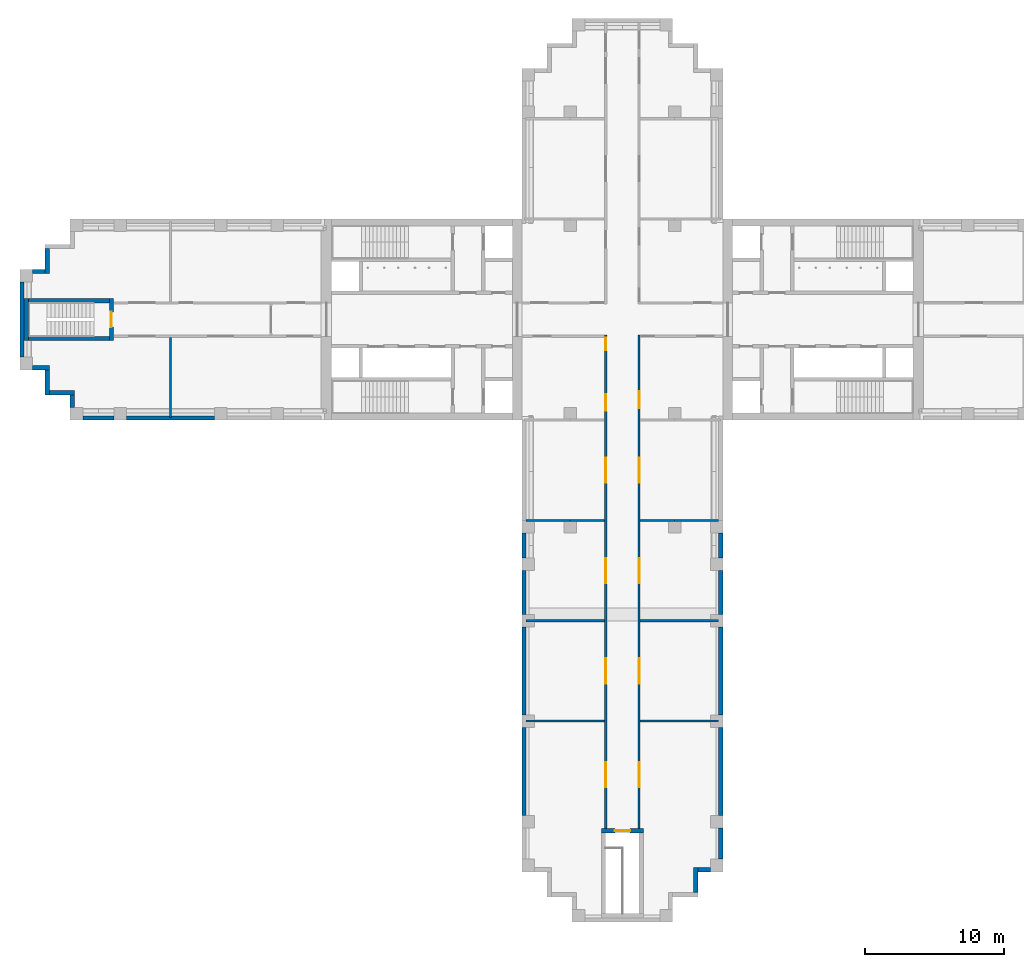
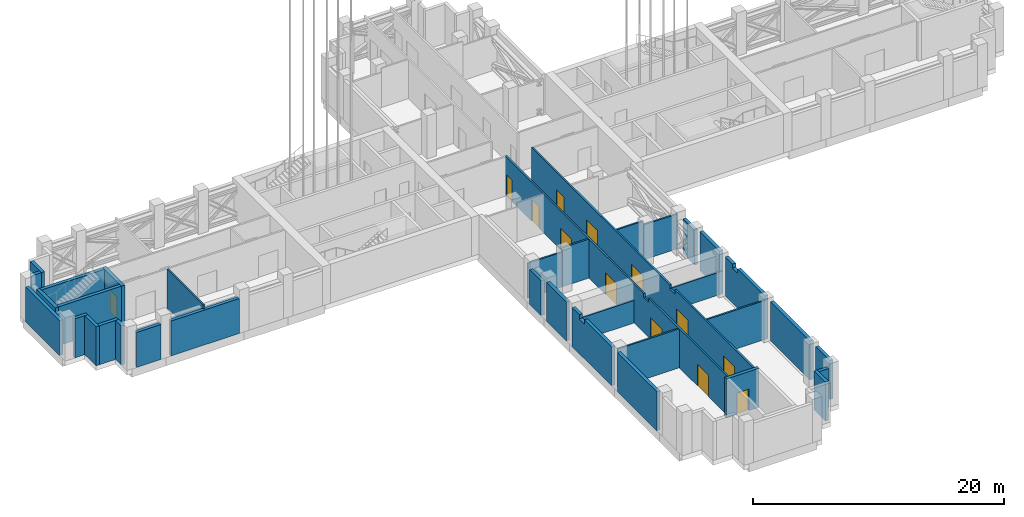
# One storey, part 4 of 22: 36 walls, 13 doors, 13 openings.
"""IFC4 building model written with IfcOpenShell, lengths in metres."""

from ifc_helpers import new_model, si_unit, direction, frame, frame_2d, origin, place, context, subcontext, project, spatial, polyline, rectangle, outline, extrude, material, layer, layer_set, type_object, element, fill, save


model = new_model("IFC4")

# Units and contexts
model_context = context("Model", 3, precision=1e-05, world=origin(), true_north=direction((0.0, 1.0)))
body_context = subcontext(model_context, "Body", "Model", "MODEL_VIEW")
ifc_project = project(units=[si_unit("LENGTHUNIT", "METRE"), si_unit("AREAUNIT", "SQUARE_METRE"), si_unit("VOLUMEUNIT", "CUBIC_METRE"), si_unit("PLANEANGLEUNIT", "RADIAN"), si_unit("MASSUNIT", "GRAM", prefix="KILO")], contexts=[model_context])

# Site, building, storey
site_placement = place(None, origin())
site = spatial("IfcSite", under=ifc_project, at=site_placement, CompositionType="ELEMENT")
building_placement = place(site_placement, origin())
building = spatial("IfcBuilding", under=site, at=building_placement, Name="Fustian Cross Tower", CompositionType="ELEMENT")
storey_placement = place(building_placement, frame((0.0, 0.0, 111.89990234375)))
storey = spatial("IfcBuildingStorey", under=building, at=storey_placement, Name="L35", CompositionType="ELEMENT", Elevation=111.89990234375)

# Walls
ifc_material_1 = material(Name="Plasterboard on steel stud", Category="steel")
ifc_layer_1 = layer(ifc_material_1, 0.14990234375)
ifc_layer_set_1 = layer_set([ifc_layer_1], Name="Plasterboard on steel stud")
wall_type_1 = type_object("IfcWallType", Name="COMPARTMENT WALL 150 EI 60", PredefinedType="PARTITIONING", material=ifc_layer_set_1)
wall_1_placement = place(storey_placement, frame((-32.39990234375, -7.02001953125, 0.0), z_axis=(0.0, 0.0, 1.0), x_axis=(0.0, 1.0, 0.0)))
element("IfcWall", 1, at=wall_1_placement, inside=storey, type_object=wall_type_1, Name="Partition 3", PredefinedType="PARTITIONING", context=body_context, shape_type="SweptSolid", body=[
    extrude(rectangle(XDim=5.7451171875, YDim=0.14990234375, at=frame_2d((2.87255859375, 0.0))), origin(), (0.0, 0.0, 1.0), 3.800048828125),
])
wall_2_placement = place(storey_placement, frame((-6.89990234375, -28.800048828125, 0.0), z_axis=(0.0, 0.0, 1.0), x_axis=(1.0, 0.0, 0.0)))
element("IfcWall", 2, at=wall_2_placement, inside=storey, type_object=wall_type_1, Name="Partition 8", PredefinedType="PARTITIONING", context=body_context, shape_type="SweptSolid", body=[
    extrude(rectangle(XDim=5.625, YDim=0.14990234375, at=frame_2d((2.8125, 0.0))), origin(), (0.0, 0.0, 1.0), 3.800048828125),
])
wall_3_placement = place(storey_placement, frame((-6.89990234375, -21.60009765625, 0.0), z_axis=(0.0, 0.0, 1.0), x_axis=(1.0, 0.0, 0.0)))
element("IfcWall", 3, at=wall_3_placement, inside=storey, type_object=wall_type_1, Name="Partition 9", PredefinedType="PARTITIONING", context=body_context, shape_type="SweptSolid", body=[
    extrude(rectangle(XDim=5.625, YDim=0.14990234375, at=frame_2d((2.8125, 0.0))), origin(), (0.0, 0.0, 1.0), 2.2001953125),
])
wall_4_placement = place(storey_placement, frame((-6.89990234375, -14.39990234375, 0.0), z_axis=(0.0, 0.0, 1.0), x_axis=(1.0, 0.0, 0.0)))
element("IfcWall", 4, at=wall_4_placement, inside=storey, type_object=wall_type_1, Name="Partition 10", PredefinedType="PARTITIONING", context=body_context, shape_type="SweptSolid", body=[
    extrude(rectangle(XDim=3.14990234375, YDim=0.14990234375, at=frame_2d((1.574951171875, 0.0))), origin(), (0.0, 0.0, 1.0), 3.400146484375),
])

# Wall, openings, doors
wall_5_placement = place(storey_placement, frame((-1.199951171875, -36.5, 0.0), z_axis=(0.0, 0.0, 1.0), x_axis=(0.0, 1.0, 0.0)))
wall_5 = element("IfcWall", 5, at=wall_5_placement, inside=storey, type_object=wall_type_1, Name="Partition 14", PredefinedType="PARTITIONING", context=body_context, shape_type="SweptSolid", body=[
    extrude(outline(polyline([(0.0, 0.0), (35.375, 0.0), (35.375, 3.800048828125), (13.302001953125, 3.800048828125), (13.300048828125, 3.400146484375), (12.5, 3.400146484375), (12.498046875, 3.800048828125), (0.0, 3.800048828125), (0.0, 0.0)])), frame((0.0, 0.074951171875, 0.0), z_axis=(0.0, -1.0, 0.0), x_axis=(1.0, 0.0, 0.0)), (0.0, 0.0, 1.0), 0.14990234375),
])
opening_1_placement = place(wall_5_placement, frame((29.949951171875, 0.0, 0.0)))
opening_1 = element("IfcOpeningElement", 6, at=opening_1_placement, cuts=wall_5, Name="Opening D16008", PredefinedType="OPENING", context=body_context, shape_type="SweptSolid", body=[
    extrude(rectangle(XDim=1.199951171875, YDim=2.10009765625, at=frame_2d((0.60009765625, 1.050048828125))), frame((0.0, 0.0849609375, 0.0), z_axis=(0.0, -1.0, 0.0), x_axis=(1.0, 0.0, 0.0)), (0.0, 0.0, 1.0), 0.169921875),
])
opening_2_placement = place(wall_5_placement, frame((34.300048828125, 0.0, 0.0)))
opening_2 = element("IfcOpeningElement", 7, at=opening_2_placement, cuts=wall_5, Name="Opening D16009", PredefinedType="OPENING", context=body_context, shape_type="SweptSolid", body=[
    extrude(rectangle(XDim=0.89990234375, YDim=2.10009765625, at=frame_2d((0.449951171875, 1.050048828125))), frame((0.0, 0.0849609375, 0.0), z_axis=(0.0, -1.0, 0.0), x_axis=(1.0, 0.0, 0.0)), (0.0, 0.0, 1.0), 0.169921875),
])
opening_3_placement = place(wall_5_placement, frame((24.800048828125, 0.0, 0.0)))
opening_3 = element("IfcOpeningElement", 8, at=opening_3_placement, cuts=wall_5, Name="Opening D16023", PredefinedType="OPENING", context=body_context, shape_type="SweptSolid", body=[
    extrude(rectangle(XDim=1.800048828125, YDim=2.10009765625, at=frame_2d((0.89990234375, 1.050048828125))), frame((0.0, 0.0849609375, 0.0), z_axis=(0.0, -1.0, 0.0), x_axis=(1.0, 0.0, 0.0)), (0.0, 0.0, 1.0), 0.169921875),
])
opening_4_placement = place(wall_5_placement, frame((17.60009765625, 0.0, 0.0)))
opening_4 = element("IfcOpeningElement", 9, at=opening_4_placement, cuts=wall_5, Name="Opening D16024", PredefinedType="OPENING", context=body_context, shape_type="SweptSolid", body=[
    extrude(rectangle(XDim=1.800048828125, YDim=2.10009765625, at=frame_2d((0.89990234375, 1.050048828125))), frame((0.0, 0.0849609375, 0.0), z_axis=(0.0, -1.0, 0.0), x_axis=(1.0, 0.0, 0.0)), (0.0, 0.0, 1.0), 0.169921875),
])
opening_5_placement = place(wall_5_placement, frame((10.39990234375, 0.0, 0.0)))
opening_5 = element("IfcOpeningElement", 10, at=opening_5_placement, cuts=wall_5, Name="Opening D16025", PredefinedType="OPENING", context=body_context, shape_type="SweptSolid", body=[
    extrude(rectangle(XDim=1.800048828125, YDim=2.10009765625, at=frame_2d((0.89990234375, 1.050048828125))), frame((0.0, 0.0849609375, 0.0), z_axis=(0.0, -1.0, 0.0), x_axis=(1.0, 0.0, 0.0)), (0.0, 0.0, 1.0), 0.169921875),
])
opening_6_placement = place(wall_5_placement, frame((2.949951171875, 0.0, 0.0)))
opening_6 = element("IfcOpeningElement", 11, at=opening_6_placement, cuts=wall_5, Name="Opening D16026", PredefinedType="OPENING", context=body_context, shape_type="SweptSolid", body=[
    extrude(rectangle(XDim=1.800048828125, YDim=2.10009765625, at=frame_2d((0.89990234375, 1.050048828125))), frame((0.0, 0.0849609375, 0.0), z_axis=(0.0, -1.0, 0.0), x_axis=(1.0, 0.0, 0.0)), (0.0, 0.0, 1.0), 0.169921875),
])
ifc_material_2 = material(Name="Timber fire door set", Category="wood")
door_type_1 = type_object("IfcDoorType", Name="FIRE DOUBLE DOOR 1800 FD60S", OperationType="DOUBLE_DOOR_DOUBLE_SWING", PredefinedType="DOOR", material=ifc_material_2)
door_1_placement = place(opening_3_placement, frame((1.800048828125, 0.0, 0.0), z_axis=(0.0, 0.0, 1.0), x_axis=(-1.0, 0.0, 0.0)))
door_1 = element("IfcDoor", 12, at=door_1_placement, inside=storey, type_object=door_type_1, Name="Door D16023", OperationType="DOUBLE_DOOR_DOUBLE_SWING", OverallHeight=2.10009765625, OverallWidth=1.800048828125, PredefinedType="DOOR", context=body_context, shape_type="SweptSolid", body=[
    extrude(rectangle(XDim=1.800048828125, YDim=2.10009765625, at=frame_2d((0.89990234375, 1.050048828125))), frame((0.0, 0.02490234375, 0.0), z_axis=(0.0, -1.0, 0.0), x_axis=(1.0, 0.0, 0.0)), (0.0, 0.0, 1.0), 0.050048828125),
])
fill(opening_3, door_1)
door_2_placement = place(opening_4_placement, frame((1.800048828125, 0.0, 0.0), z_axis=(0.0, 0.0, 1.0), x_axis=(-1.0, 0.0, 0.0)))
door_2 = element("IfcDoor", 13, at=door_2_placement, inside=storey, type_object=door_type_1, Name="Door D16024", OperationType="DOUBLE_DOOR_DOUBLE_SWING", OverallHeight=2.10009765625, OverallWidth=1.800048828125, PredefinedType="DOOR", context=body_context, shape_type="SweptSolid", body=[
    extrude(rectangle(XDim=1.800048828125, YDim=2.10009765625, at=frame_2d((0.89990234375, 1.050048828125))), frame((0.0, 0.02490234375, 0.0), z_axis=(0.0, -1.0, 0.0), x_axis=(1.0, 0.0, 0.0)), (0.0, 0.0, 1.0), 0.050048828125),
])
fill(opening_4, door_2)
door_3_placement = place(opening_5_placement, frame((1.800048828125, 0.0, 0.0), z_axis=(0.0, 0.0, 1.0), x_axis=(-1.0, 0.0, 0.0)))
door_3 = element("IfcDoor", 14, at=door_3_placement, inside=storey, type_object=door_type_1, Name="Door D16025", OperationType="DOUBLE_DOOR_DOUBLE_SWING", OverallHeight=2.10009765625, OverallWidth=1.800048828125, PredefinedType="DOOR", context=body_context, shape_type="SweptSolid", body=[
    extrude(rectangle(XDim=1.800048828125, YDim=2.10009765625, at=frame_2d((0.89990234375, 1.050048828125))), frame((0.0, 0.02490234375, 0.0), z_axis=(0.0, -1.0, 0.0), x_axis=(1.0, 0.0, 0.0)), (0.0, 0.0, 1.0), 0.050048828125),
])
fill(opening_5, door_3)
door_4_placement = place(opening_6_placement, frame((1.800048828125, 0.0, 0.0), z_axis=(0.0, 0.0, 1.0), x_axis=(-1.0, 0.0, 0.0)))
door_4 = element("IfcDoor", 15, at=door_4_placement, inside=storey, type_object=door_type_1, Name="Door D16026", OperationType="DOUBLE_DOOR_DOUBLE_SWING", OverallHeight=2.10009765625, OverallWidth=1.800048828125, PredefinedType="DOOR", context=body_context, shape_type="SweptSolid", body=[
    extrude(rectangle(XDim=1.800048828125, YDim=2.10009765625, at=frame_2d((0.89990234375, 1.050048828125))), frame((0.0, 0.02490234375, 0.0), z_axis=(0.0, -1.0, 0.0), x_axis=(1.0, 0.0, 0.0)), (0.0, 0.0, 1.0), 0.050048828125),
])
fill(opening_6, door_4)
ifc_material_3 = material(Name="Timber fire door set", Category="wood")
door_type_2 = type_object("IfcDoorType", Name="FIRE SWING DOOR 1200 FD60S", OperationType="SINGLE_SWING_LEFT", PredefinedType="DOOR", material=ifc_material_3)
door_5_placement = place(opening_1_placement, frame((1.199951171875, 0.0, 0.0), z_axis=(0.0, 0.0, 1.0), x_axis=(-1.0, 0.0, 0.0)))
door_5 = element("IfcDoor", 16, at=door_5_placement, inside=storey, type_object=door_type_2, Name="Door D16008", OperationType="SINGLE_SWING_RIGHT", OverallHeight=2.10009765625, OverallWidth=1.199951171875, PredefinedType="DOOR", context=body_context, shape_type="SweptSolid", body=[
    extrude(rectangle(XDim=1.199951171875, YDim=2.10009765625, at=frame_2d((0.60009765625, 1.050048828125))), frame((0.0, 0.02490234375, 0.0), z_axis=(0.0, -1.0, 0.0), x_axis=(1.0, 0.0, 0.0)), (0.0, 0.0, 1.0), 0.050048828125),
])
fill(opening_1, door_5)
ifc_material_4 = material(Name="Timber fire door set", Category="wood")
door_type_3 = type_object("IfcDoorType", Name="FIRE SWING DOOR 900 FD30S", OperationType="SINGLE_SWING_LEFT", PredefinedType="DOOR", material=ifc_material_4)
door_6_placement = place(opening_2_placement, frame((0.89990234375, 0.0, 0.0), z_axis=(0.0, 0.0, 1.0), x_axis=(-1.0, 0.0, 0.0)))
door_6 = element("IfcDoor", 17, at=door_6_placement, inside=storey, type_object=door_type_3, Name="Door D16009", OperationType="SINGLE_SWING_RIGHT", OverallHeight=2.10009765625, OverallWidth=0.89990234375, PredefinedType="DOOR", context=body_context, shape_type="SweptSolid", body=[
    extrude(rectangle(XDim=0.89990234375, YDim=2.10009765625, at=frame_2d((0.449951171875, 1.050048828125))), frame((0.0, 0.02490234375, 0.0), z_axis=(0.0, -1.0, 0.0), x_axis=(1.0, 0.0, 0.0)), (0.0, 0.0, 1.0), 0.050048828125),
])
fill(opening_2, door_6)

wall_6_placement = place(storey_placement, frame((1.199951171875, -36.5, 0.0), z_axis=(0.0, 0.0, 1.0), x_axis=(0.0, 1.0, 0.0)))
wall_6 = element("IfcWall", 18, at=wall_6_placement, inside=storey, type_object=wall_type_1, Name="Partition 16", PredefinedType="PARTITIONING", context=body_context, shape_type="SweptSolid", body=[
    extrude(outline(polyline([(0.0, 0.0), (35.375, 0.0), (35.375, 3.800048828125), (13.302001953125, 3.800048828125), (13.300048828125, 3.400146484375), (12.5, 3.400146484375), (12.498046875, 3.800048828125), (0.0, 3.800048828125), (0.0, 0.0)])), frame((0.0, 0.074951171875, 0.0), z_axis=(0.0, -1.0, 0.0), x_axis=(1.0, 0.0, 0.0)), (0.0, 0.0, 1.0), 0.14990234375),
])
opening_7_placement = place(wall_6_placement, frame((30.14990234375, 0.0, 0.0)))
opening_7 = element("IfcOpeningElement", 19, at=opening_7_placement, cuts=wall_6, Name="Opening D16010", PredefinedType="OPENING", context=body_context, shape_type="SweptSolid", body=[
    extrude(rectangle(XDim=1.199951171875, YDim=2.10009765625, at=frame_2d((0.60009765625, 1.050048828125))), frame((0.0, 0.0849609375, 0.0), z_axis=(0.0, -1.0, 0.0), x_axis=(1.0, 0.0, 0.0)), (0.0, 0.0, 1.0), 0.169921875),
])
opening_8_placement = place(wall_6_placement, frame((24.800048828125, 0.0, 0.0)))
opening_8 = element("IfcOpeningElement", 20, at=opening_8_placement, cuts=wall_6, Name="Opening D16019", PredefinedType="OPENING", context=body_context, shape_type="SweptSolid", body=[
    extrude(rectangle(XDim=1.800048828125, YDim=2.10009765625, at=frame_2d((0.89990234375, 1.050048828125))), frame((0.0, 0.0849609375, 0.0), z_axis=(0.0, -1.0, 0.0), x_axis=(1.0, 0.0, 0.0)), (0.0, 0.0, 1.0), 0.169921875),
])
opening_9_placement = place(wall_6_placement, frame((17.60009765625, 0.0, 0.0)))
opening_9 = element("IfcOpeningElement", 21, at=opening_9_placement, cuts=wall_6, Name="Opening D16020", PredefinedType="OPENING", context=body_context, shape_type="SweptSolid", body=[
    extrude(rectangle(XDim=1.800048828125, YDim=2.10009765625, at=frame_2d((0.89990234375, 1.050048828125))), frame((0.0, 0.0849609375, 0.0), z_axis=(0.0, -1.0, 0.0), x_axis=(1.0, 0.0, 0.0)), (0.0, 0.0, 1.0), 0.169921875),
])
opening_10_placement = place(wall_6_placement, frame((10.39990234375, 0.0, 0.0)))
opening_10 = element("IfcOpeningElement", 22, at=opening_10_placement, cuts=wall_6, Name="Opening D16021", PredefinedType="OPENING", context=body_context, shape_type="SweptSolid", body=[
    extrude(rectangle(XDim=1.800048828125, YDim=2.10009765625, at=frame_2d((0.89990234375, 1.050048828125))), frame((0.0, 0.0849609375, 0.0), z_axis=(0.0, -1.0, 0.0), x_axis=(1.0, 0.0, 0.0)), (0.0, 0.0, 1.0), 0.169921875),
])
opening_11_placement = place(wall_6_placement, frame((2.949951171875, 0.0, 0.0)))
opening_11 = element("IfcOpeningElement", 23, at=opening_11_placement, cuts=wall_6, Name="Opening D16022", PredefinedType="OPENING", context=body_context, shape_type="SweptSolid", body=[
    extrude(rectangle(XDim=1.800048828125, YDim=2.10009765625, at=frame_2d((0.89990234375, 1.050048828125))), frame((0.0, 0.0849609375, 0.0), z_axis=(0.0, -1.0, 0.0), x_axis=(1.0, 0.0, 0.0)), (0.0, 0.0, 1.0), 0.169921875),
])
door_7_placement = place(opening_8_placement, origin())
door_7 = element("IfcDoor", 24, at=door_7_placement, inside=storey, type_object=door_type_1, Name="Door D16019", OperationType="DOUBLE_DOOR_DOUBLE_SWING", OverallHeight=2.10009765625, OverallWidth=1.800048828125, PredefinedType="DOOR", context=body_context, shape_type="SweptSolid", body=[
    extrude(rectangle(XDim=1.800048828125, YDim=2.10009765625, at=frame_2d((0.89990234375, 1.050048828125))), frame((0.0, 0.02490234375, 0.0), z_axis=(0.0, -1.0, 0.0), x_axis=(1.0, 0.0, 0.0)), (0.0, 0.0, 1.0), 0.050048828125),
])
fill(opening_8, door_7)
door_8_placement = place(opening_9_placement, origin())
door_8 = element("IfcDoor", 25, at=door_8_placement, inside=storey, type_object=door_type_1, Name="Door D16020", OperationType="DOUBLE_DOOR_DOUBLE_SWING", OverallHeight=2.10009765625, OverallWidth=1.800048828125, PredefinedType="DOOR", context=body_context, shape_type="SweptSolid", body=[
    extrude(rectangle(XDim=1.800048828125, YDim=2.10009765625, at=frame_2d((0.89990234375, 1.050048828125))), frame((0.0, 0.02490234375, 0.0), z_axis=(0.0, -1.0, 0.0), x_axis=(1.0, 0.0, 0.0)), (0.0, 0.0, 1.0), 0.050048828125),
])
fill(opening_9, door_8)
door_9_placement = place(opening_10_placement, origin())
door_9 = element("IfcDoor", 26, at=door_9_placement, inside=storey, type_object=door_type_1, Name="Door D16021", OperationType="DOUBLE_DOOR_DOUBLE_SWING", OverallHeight=2.10009765625, OverallWidth=1.800048828125, PredefinedType="DOOR", context=body_context, shape_type="SweptSolid", body=[
    extrude(rectangle(XDim=1.800048828125, YDim=2.10009765625, at=frame_2d((0.89990234375, 1.050048828125))), frame((0.0, 0.02490234375, 0.0), z_axis=(0.0, -1.0, 0.0), x_axis=(1.0, 0.0, 0.0)), (0.0, 0.0, 1.0), 0.050048828125),
])
fill(opening_10, door_9)
door_10_placement = place(opening_11_placement, origin())
door_10 = element("IfcDoor", 27, at=door_10_placement, inside=storey, type_object=door_type_1, Name="Door D16022", OperationType="DOUBLE_DOOR_DOUBLE_SWING", OverallHeight=2.10009765625, OverallWidth=1.800048828125, PredefinedType="DOOR", context=body_context, shape_type="SweptSolid", body=[
    extrude(rectangle(XDim=1.800048828125, YDim=2.10009765625, at=frame_2d((0.89990234375, 1.050048828125))), frame((0.0, 0.02490234375, 0.0), z_axis=(0.0, -1.0, 0.0), x_axis=(1.0, 0.0, 0.0)), (0.0, 0.0, 1.0), 0.050048828125),
])
fill(opening_11, door_10)
ifc_material_5 = material(Name="Timber fire door set", Category="wood")
door_type_4 = type_object("IfcDoorType", Name="FIRE SWING DOOR 1200 FD30S", OperationType="SINGLE_SWING_LEFT", PredefinedType="DOOR", material=ifc_material_5)
door_11_placement = place(opening_7_placement, frame((1.199951171875, 0.0, 0.0), z_axis=(0.0, 0.0, 1.0), x_axis=(-1.0, 0.0, 0.0)))
door_11 = element("IfcDoor", 28, at=door_11_placement, inside=storey, type_object=door_type_4, Name="Door D16010", OperationType="SINGLE_SWING_RIGHT", OverallHeight=2.10009765625, OverallWidth=1.199951171875, PredefinedType="DOOR", context=body_context, shape_type="SweptSolid", body=[
    extrude(rectangle(XDim=1.199951171875, YDim=2.10009765625, at=frame_2d((0.60009765625, 1.050048828125))), frame((0.0, 0.02490234375, 0.0), z_axis=(0.0, -1.0, 0.0), x_axis=(1.0, 0.0, 0.0)), (0.0, 0.0, 1.0), 0.050048828125),
])
fill(opening_7, door_11)

# Walls
wall_7_placement = place(storey_placement, frame((1.27490234375, -28.800048828125, 0.0), z_axis=(0.0, 0.0, 1.0), x_axis=(1.0, 0.0, 0.0)))
element("IfcWall", 29, at=wall_7_placement, inside=storey, type_object=wall_type_1, Name="Partition 17", PredefinedType="PARTITIONING", context=body_context, shape_type="SweptSolid", body=[
    extrude(rectangle(XDim=5.625, YDim=0.14990234375, at=frame_2d((2.8125, 0.0))), origin(), (0.0, 0.0, 1.0), 3.800048828125),
])
wall_8_placement = place(storey_placement, frame((1.27490234375, -21.60009765625, 0.0), z_axis=(0.0, 0.0, 1.0), x_axis=(1.0, 0.0, 0.0)))
element("IfcWall", 30, at=wall_8_placement, inside=storey, type_object=wall_type_1, Name="Partition 18", PredefinedType="PARTITIONING", context=body_context, shape_type="SweptSolid", body=[
    extrude(rectangle(XDim=5.625, YDim=0.14990234375, at=frame_2d((2.8125, 0.0))), origin(), (0.0, 0.0, 1.0), 2.2001953125),
])
for number, where, z_axis, x_axis, name in (
    (31, (1.27490234375, -14.39990234375, 0.0), (0.0, 0.0, 1.0), (1.0, 0.0, 0.0), "Partition 19"),
    (32, (-3.75, -14.39990234375, 0.0), (0.0, 0.0, 1.0), (1.0, 0.0, 0.0), "Partition 10"),
):
    element("IfcWall", number, at=place(storey_placement, frame(where, z_axis=z_axis, x_axis=x_axis)), inside=storey, type_object=wall_type_1, Name=name, PredefinedType="PARTITIONING", context=body_context, shape_type="SweptSolid", body=[
        extrude(rectangle(XDim=2.47509765625, YDim=0.14990234375, at=frame_2d((1.237548828125, 0.0))), origin(), (0.0, 0.0, 1.0), 3.800048828125),
    ])
wall_9_placement = place(storey_placement, frame((3.75, -14.39990234375, 0.0), z_axis=(0.0, 0.0, 1.0), x_axis=(1.0, 0.0, 0.0)))
element("IfcWall", 33, at=wall_9_placement, inside=storey, type_object=wall_type_1, Name="Partition 19", PredefinedType="PARTITIONING", context=body_context, shape_type="SweptSolid", body=[
    extrude(rectangle(XDim=3.14990234375, YDim=0.14990234375, at=frame_2d((1.574951171875, 0.0))), origin(), (0.0, 0.0, 1.0), 3.400146484375),
])

# Wall, opening, door
ifc_material_6 = material(Name="Concrete C50/60", Category="concrete")
ifc_layer_2 = layer(ifc_material_6, 0.300048828125)
ifc_layer_set_2 = layer_set([ifc_layer_2], Name="Concrete C50/60")
wall_type_2 = type_object("IfcWallType", Name="STAIR ENCLOSURE WALL 300 C50/60", PredefinedType="SHEAR", material=ifc_layer_set_2)
wall_10_placement = place(storey_placement, frame((-1.5, -36.64990234375, 0.0), z_axis=(0.0, 0.0, 1.0), x_axis=(1.0, 0.0, 0.0)))
wall_10 = element("IfcWall", 34, at=wall_10_placement, inside=storey, type_object=wall_type_2, Name="Stair enclosure wall", PredefinedType="SHEAR", context=body_context, shape_type="SweptSolid", body=[
    extrude(rectangle(XDim=3.0, YDim=0.300048828125, at=frame_2d((1.5, 0.0))), origin(), (0.0, 0.0, 1.0), 3.800048828125),
])
opening_12_placement = place(wall_10_placement, frame((0.949951171875, 0.0, 0.0)))
opening_12 = element("IfcOpeningElement", 35, at=opening_12_placement, cuts=wall_10, Name="Opening CD-13-27", PredefinedType="OPENING", context=body_context, shape_type="SweptSolid", body=[
    extrude(rectangle(XDim=1.10009765625, YDim=2.10009765625, at=frame_2d((0.550048828125, 1.050048828125))), frame((0.0, 0.159912109375, 0.0), z_axis=(0.0, -1.0, 0.0), x_axis=(1.0, 0.0, 0.0)), (0.0, 0.0, 1.0), 0.320068359375),
])
ifc_material_7 = material(Name="Steel", Category="steel")
door_type_5 = type_object("IfcDoorType", Name="FIRE DOOR FD60S 1100X2100", OperationType="SINGLE_SWING_LEFT", PredefinedType="DOOR", material=ifc_material_7)
door_12_placement = place(opening_12_placement, frame((1.10009765625, 0.0, 0.0), z_axis=(0.0, 0.0, 1.0), x_axis=(-1.0, 0.0, 0.0)))
door_12 = element("IfcDoor", 36, at=door_12_placement, inside=storey, type_object=door_type_5, Name="Core door CD-13-27", OperationType="SINGLE_SWING_RIGHT", OverallHeight=2.10009765625, OverallWidth=1.10009765625, PredefinedType="DOOR", context=body_context, shape_type="SweptSolid", body=[
    extrude(rectangle(XDim=1.10009765625, YDim=2.10009765625, at=frame_2d((0.550048828125, 1.050048828125))), frame((0.0, 0.02490234375, 0.0), z_axis=(0.0, -1.0, 0.0), x_axis=(1.0, 0.0, 0.0)), (0.0, 0.0, 1.0), 0.050048828125),
])
fill(opening_12, door_12)

wall_11_placement = place(storey_placement, frame((-36.64990234375, -1.5, 0.0), z_axis=(0.0, 0.0, 1.0), x_axis=(0.0, 1.0, 0.0)))
wall_11 = element("IfcWall", 37, at=wall_11_placement, inside=storey, type_object=wall_type_2, Name="Stair enclosure wall", PredefinedType="SHEAR", context=body_context, shape_type="SweptSolid", body=[
    extrude(rectangle(XDim=3.0, YDim=0.300048828125, at=frame_2d((1.5, 0.0))), origin(), (0.0, 0.0, 1.0), 3.800048828125),
])
opening_13_placement = place(wall_11_placement, frame((0.949951171875, 0.0, 0.0)))
opening_13 = element("IfcOpeningElement", 38, at=opening_13_placement, cuts=wall_11, Name="Opening CD-13-29", PredefinedType="OPENING", context=body_context, shape_type="SweptSolid", body=[
    extrude(rectangle(XDim=1.10009765625, YDim=2.10009765625, at=frame_2d((0.550048828125, 1.050048828125))), frame((0.0, 0.159912109375, 0.0), z_axis=(0.0, -1.0, 0.0), x_axis=(1.0, 0.0, 0.0)), (0.0, 0.0, 1.0), 0.320068359375),
])
door_13_placement = place(opening_13_placement, origin())
door_13 = element("IfcDoor", 39, at=door_13_placement, inside=storey, type_object=door_type_5, Name="Core door CD-13-29", OperationType="SINGLE_SWING_LEFT", OverallHeight=2.10009765625, OverallWidth=1.10009765625, PredefinedType="DOOR", context=body_context, shape_type="SweptSolid", body=[
    extrude(rectangle(XDim=1.10009765625, YDim=2.10009765625, at=frame_2d((0.550048828125, 1.050048828125))), frame((0.0, 0.02490234375, 0.0), z_axis=(0.0, -1.0, 0.0), x_axis=(1.0, 0.0, 0.0)), (0.0, 0.0, 1.0), 0.050048828125),
])
fill(opening_13, door_13)

# Walls
wall_12_placement = place(storey_placement, frame((-42.75, -1.5, 0.0), z_axis=(0.0, 0.0, 1.0), x_axis=(0.0, 1.0, 0.0)))
element("IfcWall", 40, at=wall_12_placement, inside=storey, type_object=wall_type_2, Name="Stair enclosure wall", PredefinedType="SHEAR", context=body_context, shape_type="SweptSolid", body=[
    extrude(rectangle(XDim=3.0, YDim=0.300048828125, at=frame_2d((1.5, 0.0))), origin(), (0.0, 0.0, 1.0), 3.800048828125),
])
for number, where, z_axis, x_axis, name in (
    (41, (-36.800048828125, -1.35009765625, 0.0), (0.0, 0.0, 1.0), (-1.0, 0.0, 0.0), "Stair enclosure wall"),
    (42, (-36.800048828125, 1.35009765625, 0.0), (0.0, 0.0, 1.0), (-1.0, 0.0, 0.0), "Stair enclosure wall"),
):
    element("IfcWall", number, at=place(storey_placement, frame(where, z_axis=z_axis, x_axis=x_axis)), inside=storey, type_object=wall_type_2, Name=name, PredefinedType="SHEAR", context=body_context, shape_type="SweptSolid", body=[
        extrude(rectangle(XDim=5.800048828125, YDim=0.300048828125, at=frame_2d((2.89990234375, 0.0))), origin(), (0.0, 0.0, 1.0), 3.800048828125),
    ])
ifc_material_8 = material(Name="Dark aluminium louvres on insulated backing wall", Category="aluminium")
ifc_layer_3 = layer(ifc_material_8, 0.300048828125)
ifc_layer_set_3 = layer_set([ifc_layer_3], Name="Dark aluminium louvres on insulated backing wall")
wall_type_3 = type_object("IfcWallType", Name="XW2 LOUVRED PLANT WALL 300", PredefinedType="SOLIDWALL", material=ifc_layer_set_3)
wall_13_placement = place(storey_placement, frame((-41.25, 5.10009765625, 0.0), z_axis=(0.0, 0.0, 1.0), x_axis=(0.0, -1.0, 0.0)))
element("IfcWall", 43, at=wall_13_placement, inside=storey, type_object=wall_type_3, Name="Plant louvre wall", PredefinedType="SOLIDWALL", context=body_context, shape_type="SweptSolid", body=[
    extrude(rectangle(XDim=1.800048828125, YDim=0.300048828125, at=frame_2d((0.89990234375, 0.0))), origin(), (0.0, 0.0, 1.0), 3.800048828125),
])
wall_14_placement = place(storey_placement, frame((-41.39990234375, 3.449951171875, 0.0), z_axis=(0.0, 0.0, 1.0), x_axis=(-1.0, 0.0, 0.0)))
element("IfcWall", 44, at=wall_14_placement, inside=storey, type_object=wall_type_3, Name="Plant louvre wall", PredefinedType="SOLIDWALL", context=body_context, shape_type="SweptSolid", body=[
    extrude(rectangle(XDim=0.900146484375, YDim=0.300048828125, at=frame_2d((0.4501953125, 0.0))), origin(), (0.0, 0.0, 1.0), 3.800048828125),
])
wall_15_placement = place(storey_placement, frame((-43.050048828125, 2.699951171875, 0.0), z_axis=(0.0, 0.0, 1.0), x_axis=(0.0, -1.0, 0.0)))
element("IfcWall", 45, at=wall_15_placement, inside=storey, type_object=wall_type_3, Name="Plant louvre wall", PredefinedType="SOLIDWALL", context=body_context, shape_type="SweptSolid", body=[
    extrude(rectangle(XDim=5.39990234375, YDim=0.300048828125, at=frame_2d((2.699951171875, 0.0))), origin(), (0.0, 0.0, 1.0), 3.400146484375),
])
wall_16_placement = place(storey_placement, frame((-42.300048828125, -3.449951171875, 0.0), z_axis=(0.0, 0.0, 1.0), x_axis=(1.0, 0.0, 0.0)))
element("IfcWall", 46, at=wall_16_placement, inside=storey, type_object=wall_type_3, Name="Plant louvre wall", PredefinedType="SOLIDWALL", context=body_context, shape_type="SweptSolid", body=[
    extrude(rectangle(XDim=1.199951171875, YDim=0.300048828125, at=frame_2d((0.60009765625, 0.0))), origin(), (0.0, 0.0, 1.0), 3.800048828125),
])
wall_17_placement = place(storey_placement, frame((-41.25, -3.60009765625, 0.0), z_axis=(0.0, 0.0, 1.0), x_axis=(0.0, -1.0, 0.0)))
element("IfcWall", 47, at=wall_17_placement, inside=storey, type_object=wall_type_3, Name="Plant louvre wall", PredefinedType="SOLIDWALL", context=body_context, shape_type="SweptSolid", body=[
    extrude(rectangle(XDim=1.7998046875, YDim=0.300048828125, at=frame_2d((0.89990234375, 0.0))), origin(), (0.0, 0.0, 1.0), 3.800048828125),
])
wall_18_placement = place(storey_placement, frame((-41.10009765625, -5.25, 0.0), z_axis=(0.0, 0.0, 1.0), x_axis=(1.0, 0.0, 0.0)))
element("IfcWall", 48, at=wall_18_placement, inside=storey, type_object=wall_type_3, Name="Plant louvre wall", PredefinedType="SOLIDWALL", context=body_context, shape_type="SweptSolid", body=[
    extrude(rectangle(XDim=1.800048828125, YDim=0.300048828125, at=frame_2d((0.89990234375, 0.0))), origin(), (0.0, 0.0, 1.0), 3.800048828125),
])
wall_19_placement = place(storey_placement, frame((-39.449951171875, -5.39990234375, 0.0), z_axis=(0.0, 0.0, 1.0), x_axis=(0.0, -1.0, 0.0)))
element("IfcWall", 49, at=wall_19_placement, inside=storey, type_object=wall_type_3, Name="Plant louvre wall", PredefinedType="SOLIDWALL", context=body_context, shape_type="SweptSolid", body=[
    extrude(rectangle(XDim=0.900146484375, YDim=0.300048828125, at=frame_2d((0.4501953125, 0.0))), origin(), (0.0, 0.0, 1.0), 3.800048828125),
])
wall_20_placement = place(storey_placement, frame((-38.699951171875, -7.050048828125, 0.0), z_axis=(0.0, 0.0, 1.0), x_axis=(1.0, 0.0, 0.0)))
element("IfcWall", 50, at=wall_20_placement, inside=storey, type_object=wall_type_3, Name="Plant louvre wall", PredefinedType="SOLIDWALL", context=body_context, shape_type="SweptSolid", body=[
    extrude(rectangle(XDim=2.25, YDim=0.300048828125, at=frame_2d((1.125, 0.0))), origin(), (0.0, 0.0, 1.0), 3.400146484375),
])
wall_21_placement = place(storey_placement, frame((-35.550048828125, -7.050048828125, 0.0), z_axis=(0.0, 0.0, 1.0), x_axis=(1.0, 0.0, 0.0)))
element("IfcWall", 51, at=wall_21_placement, inside=storey, type_object=wall_type_3, Name="Plant louvre wall", PredefinedType="SOLIDWALL", context=body_context, shape_type="SweptSolid", body=[
    extrude(rectangle(XDim=6.300048828125, YDim=0.300048828125, at=frame_2d((3.14990234375, 0.0))), origin(), (0.0, 0.0, 1.0), 3.400146484375),
])
wall_22_placement = place(storey_placement, frame((-7.050048828125, -15.300048828125, 0.0), z_axis=(0.0, 0.0, 1.0), x_axis=(0.0, -1.0, 0.0)))
element("IfcWall", 52, at=wall_22_placement, inside=storey, type_object=wall_type_3, Name="Plant louvre wall", PredefinedType="SOLIDWALL", context=body_context, shape_type="SweptSolid", body=[
    extrude(rectangle(XDim=1.800048828125, YDim=0.300048828125, at=frame_2d((0.89990234375, 0.0))), origin(), (0.0, 0.0, 1.0), 3.400146484375),
])
wall_23_placement = place(storey_placement, frame((-7.050048828125, -18.0, 0.0), z_axis=(0.0, 0.0, 1.0), x_axis=(0.0, -1.0, 0.0)))
element("IfcWall", 53, at=wall_23_placement, inside=storey, type_object=wall_type_3, Name="Plant louvre wall", PredefinedType="SOLIDWALL", context=body_context, shape_type="SweptSolid", body=[
    extrude(rectangle(XDim=3.14990234375, YDim=0.300048828125, at=frame_2d((1.574951171875, 0.0))), origin(), (0.0, 0.0, 1.0), 3.800048828125),
])
wall_24_placement = place(storey_placement, frame((-7.050048828125, -22.050048828125, 0.0), z_axis=(0.0, 0.0, 1.0), x_axis=(0.0, -1.0, 0.0)))
element("IfcWall", 54, at=wall_24_placement, inside=storey, type_object=wall_type_3, Name="Plant louvre wall", PredefinedType="SOLIDWALL", context=body_context, shape_type="SweptSolid", body=[
    extrude(outline(polyline([(0.0, 0.0), (6.300048828125, 0.0), (6.300048828125, 3.800048828125), (1.951904296875, 3.800048828125), (1.949951171875, 3.400146484375), (1.14990234375, 3.400146484375), (1.14794921875, 3.800048828125), (0.0, 3.800048828125), (0.0, 0.0)])), frame((0.0, 0.14990234375, 0.0), z_axis=(0.0, -1.0, 0.0), x_axis=(1.0, 0.0, 0.0)), (0.0, 0.0, 1.0), 0.300048828125),
])
wall_25_placement = place(storey_placement, frame((-7.050048828125, -29.25, 0.0), z_axis=(0.0, 0.0, 1.0), x_axis=(0.0, -1.0, 0.0)))
element("IfcWall", 55, at=wall_25_placement, inside=storey, type_object=wall_type_3, Name="Plant louvre wall", PredefinedType="SOLIDWALL", context=body_context, shape_type="SweptSolid", body=[
    extrude(rectangle(XDim=6.300048828125, YDim=0.300048828125, at=frame_2d((3.14990234375, 0.0))), origin(), (0.0, 0.0, 1.0), 3.800048828125),
])
wall_26_placement = place(storey_placement, frame((5.25, -41.10009765625, 0.0), z_axis=(0.0, 0.0, 1.0), x_axis=(0.0, 1.0, 0.0)))
element("IfcWall", 56, at=wall_26_placement, inside=storey, type_object=wall_type_3, Name="Plant louvre wall", PredefinedType="SOLIDWALL", context=body_context, shape_type="SweptSolid", body=[
    extrude(rectangle(XDim=1.800048828125, YDim=0.300048828125, at=frame_2d((0.89990234375, 0.0))), origin(), (0.0, 0.0, 1.0), 3.800048828125),
])
wall_27_placement = place(storey_placement, frame((5.39990234375, -39.449951171875, 0.0), z_axis=(0.0, 0.0, 1.0), x_axis=(1.0, 0.0, 0.0)))
element("IfcWall", 57, at=wall_27_placement, inside=storey, type_object=wall_type_3, Name="Plant louvre wall", PredefinedType="SOLIDWALL", context=body_context, shape_type="SweptSolid", body=[
    extrude(rectangle(XDim=0.900146484375, YDim=0.300048828125, at=frame_2d((0.4501953125, 0.0))), origin(), (0.0, 0.0, 1.0), 3.800048828125),
])
wall_28_placement = place(storey_placement, frame((7.050048828125, -38.699951171875, 0.0), z_axis=(0.0, 0.0, 1.0), x_axis=(0.0, 1.0, 0.0)))
element("IfcWall", 58, at=wall_28_placement, inside=storey, type_object=wall_type_3, Name="Plant louvre wall", PredefinedType="SOLIDWALL", context=body_context, shape_type="SweptSolid", body=[
    extrude(rectangle(XDim=2.25, YDim=0.300048828125, at=frame_2d((1.125, 0.0))), origin(), (0.0, 0.0, 1.0), 3.800048828125),
])
wall_29_placement = place(storey_placement, frame((7.050048828125, -35.550048828125, 0.0), z_axis=(0.0, 0.0, 1.0), x_axis=(0.0, 1.0, 0.0)))
element("IfcWall", 59, at=wall_29_placement, inside=storey, type_object=wall_type_3, Name="Plant louvre wall", PredefinedType="SOLIDWALL", context=body_context, shape_type="SweptSolid", body=[
    extrude(rectangle(XDim=6.300048828125, YDim=0.300048828125, at=frame_2d((3.14990234375, 0.0))), origin(), (0.0, 0.0, 1.0), 3.800048828125),
])
wall_30_placement = place(storey_placement, frame((7.050048828125, -28.35009765625, 0.0), z_axis=(0.0, 0.0, 1.0), x_axis=(0.0, 1.0, 0.0)))
element("IfcWall", 60, at=wall_30_placement, inside=storey, type_object=wall_type_3, Name="Plant louvre wall", PredefinedType="SOLIDWALL", context=body_context, shape_type="SweptSolid", body=[
    extrude(outline(polyline([(0.0, 0.0), (6.300048828125, 0.0), (6.300048828125, 3.800048828125), (5.152099609375, 3.800048828125), (5.14990234375, 3.400146484375), (4.35009765625, 3.400146484375), (4.347900390625, 3.800048828125), (0.0, 3.800048828125), (0.0, 0.0)])), frame((0.0, 0.14990234375, 0.0), z_axis=(0.0, -1.0, 0.0), x_axis=(1.0, 0.0, 0.0)), (0.0, 0.0, 1.0), 0.300048828125),
])
wall_31_placement = place(storey_placement, frame((7.050048828125, -21.14990234375, 0.0), z_axis=(0.0, 0.0, 1.0), x_axis=(0.0, 1.0, 0.0)))
element("IfcWall", 61, at=wall_31_placement, inside=storey, type_object=wall_type_3, Name="Plant louvre wall", PredefinedType="SOLIDWALL", context=body_context, shape_type="SweptSolid", body=[
    extrude(rectangle(XDim=3.14990234375, YDim=0.300048828125, at=frame_2d((1.574951171875, 0.0))), origin(), (0.0, 0.0, 1.0), 3.800048828125),
])
wall_32_placement = place(storey_placement, frame((7.050048828125, -17.10009765625, 0.0), z_axis=(0.0, 0.0, 1.0), x_axis=(0.0, 1.0, 0.0)))
element("IfcWall", 62, at=wall_32_placement, inside=storey, type_object=wall_type_3, Name="Plant louvre wall", PredefinedType="SOLIDWALL", context=body_context, shape_type="SweptSolid", body=[
    extrude(rectangle(XDim=1.800048828125, YDim=0.300048828125, at=frame_2d((0.89990234375, 0.0))), origin(), (0.0, 0.0, 1.0), 3.400146484375),
])

save(model, "model.ifc")
